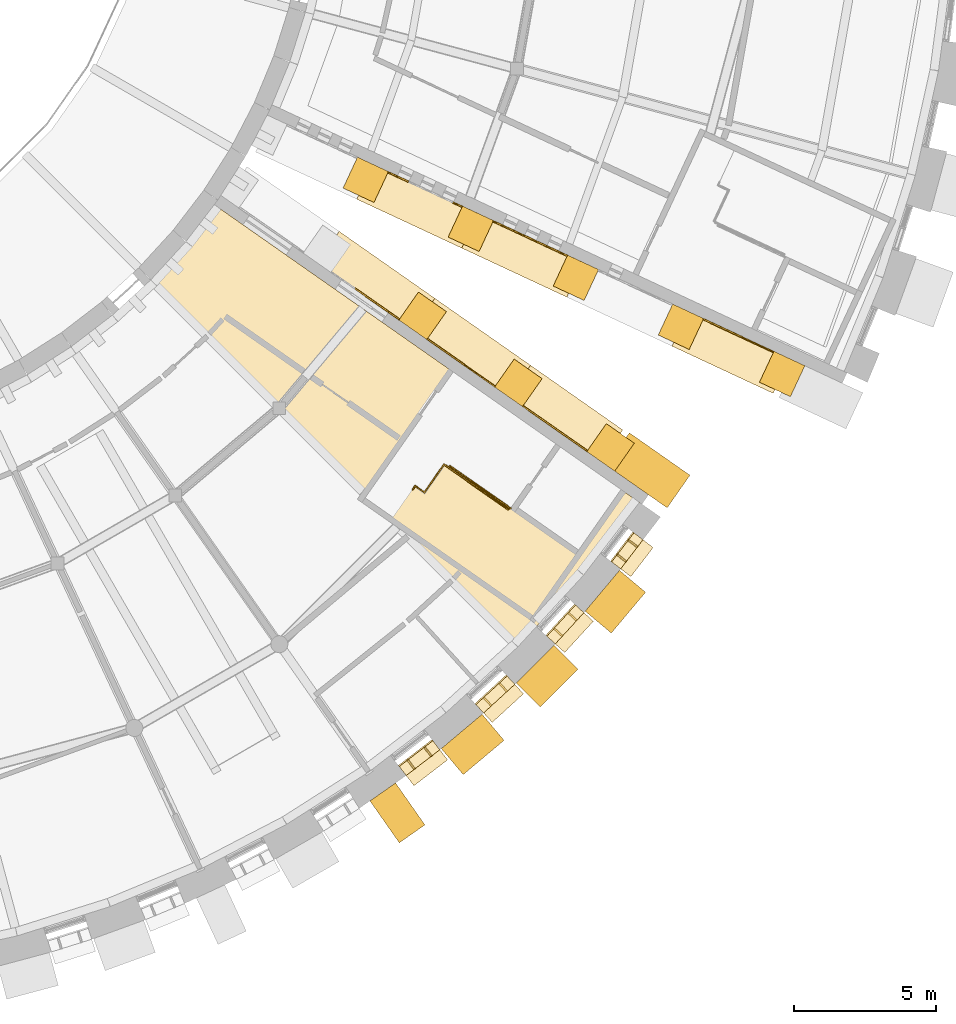
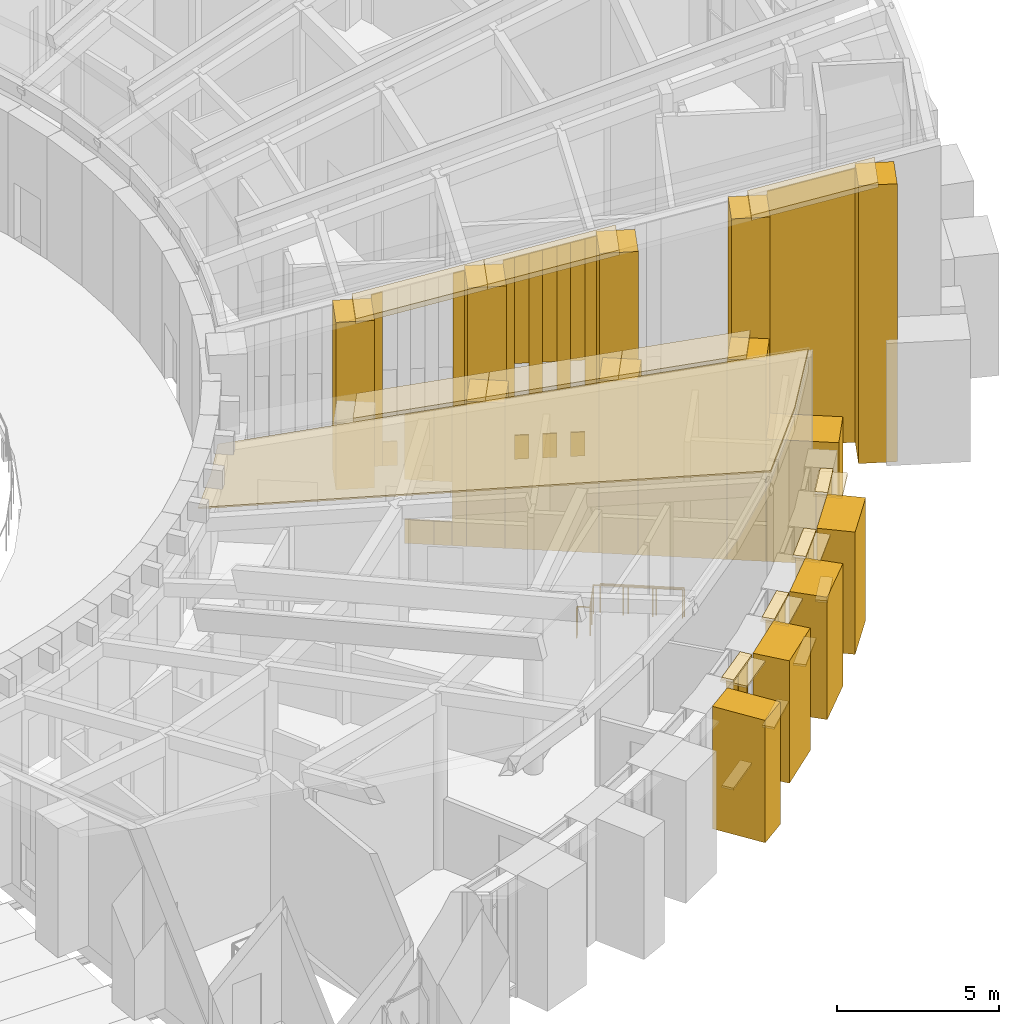
# One storey, part 42 of 50: 61 coverings, 2 railings.
"""IFC4 building model written with IfcOpenShell, lengths in metres."""

from ifc_helpers import new_model, si_unit, direction, frame, origin, origin_2d, place, context, subcontext, project, spatial, polyline, rectangle, circle, outline, extrude, material, layer, layer_set, type_object, element, save


model = new_model("IFC4")

# Units and contexts
model_context = context("Model", 3, precision=1e-05, world=origin(), true_north=direction((0.0, 1.0)))
body_context = subcontext(model_context, "Body", "Model", "MODEL_VIEW")
ifc_project = project(units=[si_unit("LENGTHUNIT", "METRE"), si_unit("AREAUNIT", "SQUARE_METRE"), si_unit("VOLUMEUNIT", "CUBIC_METRE"), si_unit("PLANEANGLEUNIT", "RADIAN"), si_unit("MASSUNIT", "GRAM", prefix="KILO")], contexts=[model_context])

# Site, building, storey
site_placement = place(None, origin())
site = spatial("IfcSite", under=ifc_project, at=site_placement, CompositionType="ELEMENT")
building_placement = place(site_placement, origin())
building = spatial("IfcBuilding", under=site, at=building_placement, Name="Volute Hill Aquarium", CompositionType="ELEMENT")
storey_placement = place(building_placement, frame((0.0, 0.0, 9.199951171875)))
storey = spatial("IfcBuildingStorey", under=building, at=storey_placement, Name="L03", CompositionType="ELEMENT", Elevation=9.199951171875)

# Coverings
ifc_material_1 = material(Name="Precast concrete C40/50", Category="concrete")
covering_type_1 = type_object("IfcCoveringType", Name="End wall precast coping C40/50 1350x200", PredefinedType="CLADDING", material=ifc_material_1)
covering_1_placement = place(storey_placement, frame((20.697998046875, -14.248779296875, 4.403076171875), z_axis=(-0.573593982134, -0.81913975832, 0.0), x_axis=(0.793343648707, -0.555530528265, 0.248981298938)))
element("IfcCovering", 1, at=covering_1_placement, inside=storey, type_object=covering_type_1, Name="End wall coping EWC S3B L03 2", PredefinedType="CLADDING", context=body_context, shape_type="SweptSolid", body=[
    extrude(outline(polyline([(0.0, 0.0), (4.2409137056894854, 0.0), (4.2906978081870255, 0.1936543680702818), (0.04978410249754042, 0.19365436807028183), (0.0, 0.0)])), origin(), (0.0, 0.0, -1.0), 1.35009765625),
])
covering_2_placement = place(storey_placement, frame((24.0625, -16.604736328125, 5.458984375), z_axis=(-0.573566055158, -0.81915931318, 0.0), x_axis=(0.793364982258, -0.555505157364, 0.248969928041)))
element("IfcCovering", 2, at=covering_2_placement, inside=storey, type_object=covering_type_1, Name="End wall coping EWC S3B L03 3", PredefinedType="CLADDING", context=body_context, shape_type="SweptSolid", body=[
    extrude(outline(polyline([(0.0, 0.0), (4.241107395707973, 0.0), (4.290889224581473, 0.1936549525527178), (0.04978182887349994, 0.19365495255271775), (0.0, 0.0)])), origin(), (0.0, 0.0, -1.0), 1.35009765625),
])
covering_3_placement = place(storey_placement, frame((27.42724609375, -18.960693359375, 6.514892578125), z_axis=(-0.573603107353, -0.819133368405, 0.0), x_axis=(0.793339490461, -0.555540787943, 0.248971656631)))
element("IfcCovering", 3, at=covering_3_placement, inside=storey, type_object=covering_type_1, Name="End wall coping EWC S3B L03 4", PredefinedType="CLADDING", context=body_context, shape_type="SweptSolid", body=[
    extrude(outline(polyline([(0.0, 0.0), (4.086143772906816, 2.220446049250313e-16), (4.135986731509798, 0.19389131652726022), (0.04978217450712377, 0.19365486370222693), (0.0, 0.0)])), origin(), (0.0, 0.0, -1.0), 1.35009765625),
])
covering_4_placement = place(storey_placement, frame((22.08984375, -12.010986328125, 6.294921875), z_axis=(-0.42258376343, -0.906323873064, 0.0), x_axis=(0.877780668574, -0.40927517129, 0.24898781505)))
element("IfcCovering", 4, at=covering_4_placement, inside=storey, type_object=covering_type_1, Name="End wall coping EWC S4A L03 2", PredefinedType="CLADDING", context=body_context, shape_type="SweptSolid", body=[
    extrude(outline(polyline([(0.0, 0.0), (4.208445149374588, 0.0), (4.2582305547764046, 0.19365403311876173), (0.049785405401817154, 0.19365403311876184), (0.0, 0.0)])), origin(), (0.0, 0.0, -1.0), 1.35009765625),
])
covering_5_placement = place(storey_placement, frame((25.783935546875, -13.7333984375, 7.3427734375), z_axis=(-0.422632963548, -0.906300931326, 0.0), x_axis=(0.87775982678, -0.409323464263, 0.248981903148)))
element("IfcCovering", 5, at=covering_5_placement, inside=storey, type_object=covering_type_1, Name="End wall coping EWC S4A L03 3", PredefinedType="CLADDING", context=body_context, shape_type="SweptSolid", body=[
    extrude(outline(polyline([(0.0, 0.0), (4.208545075965912, 0.0), (4.25832929927611, 0.19365433701207424), (0.04978422331019887, 0.19365433701207427), (0.0, 0.0)])), origin(), (0.0, 0.0, -1.0), 1.35009765625),
])
covering_6_placement = place(storey_placement, frame((33.172119140625, -17.1787109375, 9.4384765625), z_axis=(-0.422619905997, -0.906307020306, 0.0), x_axis=(0.877765405397, -0.409310669348, 0.248983270613)))
element("IfcCovering", 6, at=covering_6_placement, inside=storey, type_object=covering_type_1, Name="End wall coping EWC S4A L03 5", PredefinedType="CLADDING", context=body_context, shape_type="SweptSolid", body=[
    extrude(outline(polyline([(0.0, 0.0), (4.053595011686332, 0.0), (4.103379508422662, 0.19365426672009112), (0.0497844967363295, 0.19365426672009112), (0.0, 0.0)])), origin(), (0.0, 0.0, -1.0), 1.35009765625),
])
ifc_material_2 = material(Name="Precast concrete C40/50", Category="concrete")
covering_type_2 = type_object("IfcCoveringType", Name="End wall precast fin C40/50 1200x1200", PredefinedType="CLADDING", material=ifc_material_2)
covering_7_placement = place(storey_placement, frame((24.40673828125, -16.11328125, 0.0), z_axis=(0.0, 0.0, 1.0), x_axis=(0.81915068408, -0.573578378926, 0.0)))
element("IfcCovering", 7, at=covering_7_placement, inside=storey, type_object=covering_type_2, Name="End wall fin EWF S3B L03 3", PredefinedType="CLADDING", context=body_context, shape_type="SweptSolid", body=[
    extrude(rectangle(XDim=1.199951171875, YDim=1.199951171875, at=origin_2d()), origin(), (0.0, 0.0, 1.0), 5.458984375),
])
covering_8_placement = place(storey_placement, frame((27.771484375, -18.46923828125, 0.0), z_axis=(0.0, 0.0, 1.0), x_axis=(0.81915068408, -0.573578378926, 0.0)))
element("IfcCovering", 8, at=covering_8_placement, inside=storey, type_object=covering_type_2, Name="End wall fin EWF S3B L03 4", PredefinedType="CLADDING", context=body_context, shape_type="SweptSolid", body=[
    extrude(rectangle(XDim=1.199951171875, YDim=1.199951171875, at=origin_2d()), origin(), (0.0, 0.0, 1.0), 6.514892578125),
])
covering_9_placement = place(storey_placement, frame((31.01318359375, -20.739013671875, 0.0), z_axis=(0.0, 0.0, 1.0), x_axis=(0.81915068408, -0.573578378926, 0.0)))
element("IfcCovering", 9, at=covering_9_placement, inside=storey, type_object=covering_type_2, Name="End wall fin EWF S3B L03 5", PredefinedType="CLADDING", context=body_context, shape_type="SweptSolid", body=[
    extrude(rectangle(XDim=1.199951171875, YDim=1.199951171875, at=origin_2d()), origin(), (0.0, 0.0, 1.0), 7.5322265625),
])
covering_10_placement = place(storey_placement, frame((22.406494140625, -11.3310546875, 0.0), z_axis=(0.0, 0.0, 1.0), x_axis=(0.906306960471, -0.422620034311, 0.0)))
element("IfcCovering", 10, at=covering_10_placement, inside=storey, type_object=covering_type_2, Name="End wall fin EWF S4A L03 2", PredefinedType="CLADDING", context=body_context, shape_type="SweptSolid", body=[
    extrude(rectangle(XDim=1.199951171875, YDim=1.199951171875, at=origin_2d()), origin(), (0.0, 0.0, 1.0), 6.294921875),
])
covering_11_placement = place(storey_placement, frame((26.100830078125, -13.0537109375, 0.0), z_axis=(0.0, 0.0, 1.0), x_axis=(0.906306960471, -0.422620034311, 0.0)))
element("IfcCovering", 11, at=covering_11_placement, inside=storey, type_object=covering_type_2, Name="End wall fin EWF S4A L03 3", PredefinedType="CLADDING", context=body_context, shape_type="SweptSolid", body=[
    extrude(rectangle(XDim=1.199951171875, YDim=1.199951171875, at=origin_2d()), origin(), (0.0, 0.0, 1.0), 7.3427734375),
])
covering_12_placement = place(storey_placement, frame((29.794921875, -14.7763671875, 0.0), z_axis=(0.0, 0.0, 1.0), x_axis=(0.906306960471, -0.422620034311, 0.0)))
element("IfcCovering", 12, at=covering_12_placement, inside=storey, type_object=covering_type_2, Name="End wall fin EWF S4A L03 4", PredefinedType="CLADDING", context=body_context, shape_type="SweptSolid", body=[
    extrude(rectangle(XDim=1.199951171875, YDim=1.199951171875, at=origin_2d()), origin(), (0.0, 0.0, 1.0), 8.390625),
])
covering_13_placement = place(storey_placement, frame((33.489013671875, -16.498779296875, 0.0), z_axis=(0.0, 0.0, 1.0), x_axis=(0.906306960471, -0.422620034311, 0.0)))
element("IfcCovering", 13, at=covering_13_placement, inside=storey, type_object=covering_type_2, Name="End wall fin EWF S4A L03 5", PredefinedType="CLADDING", context=body_context, shape_type="SweptSolid", body=[
    extrude(rectangle(XDim=1.199951171875, YDim=1.199951171875, at=origin_2d()), origin(), (0.0, 0.0, 1.0), 9.4384765625),
])
covering_14_placement = place(storey_placement, frame((37.047119140625, -18.157958984375, 0.0), z_axis=(0.0, 0.0, 1.0), x_axis=(0.906306960471, -0.422620034311, 0.0)))
element("IfcCovering", 14, at=covering_14_placement, inside=storey, type_object=covering_type_2, Name="End wall fin EWF S4A L03 6", PredefinedType="CLADDING", context=body_context, shape_type="SweptSolid", body=[
    extrude(rectangle(XDim=1.199951171875, YDim=1.199951171875, at=origin_2d()), origin(), (0.0, 0.0, 1.0), 10.44775390625),
])
ifc_material_3 = material(Name="Precast concrete C40/50", Category="concrete")
ifc_layer_1 = layer(ifc_material_3, 0.050048828125)
ifc_layer_set_1 = layer_set([ifc_layer_1], Name="End wall precast infill panel C40/50 50")
covering_type_3 = type_object("IfcCoveringType", Name="End wall precast infill panel C40/50 50", PredefinedType="CLADDING", material=ifc_layer_set_1)
covering_15_placement = place(storey_placement, frame((22.01171875, -15.168701171875, 0.0), z_axis=(-0.573589807488, -0.819142681555, 0.0), x_axis=(0.819142681555, -0.573589807488, 0.0)))
element("IfcCovering", 15, at=covering_15_placement, inside=storey, type_object=covering_type_3, Name="End wall panel EWP S3B L03 2", PredefinedType="CLADDING", context=body_context, shape_type="SweptSolid", body=[
    extrude(outline(polyline([(0.0, 0.0), (0.8997950704701132, 0.0), (0.8997950704701132, 0.900146484375), (0.0, 0.900146484375), (0.0, 0.0)])), origin(), (0.0, 0.0, -1.0), 0.050048828125),
])
covering_16_placement = place(storey_placement, frame((22.01171875, -15.168701171875, 2.400146484375), z_axis=(-0.573589807488, -0.819142681555, 0.0), x_axis=(0.819142681555, -0.573589807488, 0.0)))
element("IfcCovering", 16, at=covering_16_placement, inside=storey, type_object=covering_type_3, Name="End wall panel EWP S3B L03 2", PredefinedType="CLADDING", context=body_context, shape_type="SweptSolid", body=[
    extrude(outline(polyline([(0.0, 0.0), (0.8997950704701132, 0.0), (0.8997950704701132, 2.646484375), (0.0, 2.4150390625), (0.0, 0.0)])), origin(), (0.0, 0.0, -1.0), 0.050048828125),
])
covering_17_placement = place(storey_placement, frame((22.748779296875, -15.684814453125, 0.0), z_axis=(-0.573580694562, -0.819149062641, 0.0), x_axis=(0.819149062641, -0.573580694562, 0.0)))
element("IfcCovering", 17, at=covering_17_placement, inside=storey, type_object=covering_type_3, Name="End wall panel EWP S3B L03 2", PredefinedType="CLADDING", context=body_context, shape_type="SweptSolid", body=[
    extrude(outline(polyline([(0.0, 0.0), (0.5537615825225353, 0.0), (0.5537615825225353, 0.900146484375), (0.0, 0.900146484375), (0.0, 0.0)])), origin(), (0.0, 0.0, -1.0), 0.050048828125),
])
covering_18_placement = place(storey_placement, frame((22.748779296875, -15.684814453125, 2.400146484375), z_axis=(-0.573580694562, -0.819149062641, 0.0), x_axis=(0.819149062641, -0.573580694562, 0.0)))
element("IfcCovering", 18, at=covering_18_placement, inside=storey, type_object=covering_type_3, Name="End wall panel EWP S3B L03 2", PredefinedType="CLADDING", context=body_context, shape_type="SweptSolid", body=[
    extrude(outline(polyline([(0.0, 0.0), (0.5537615825225353, 0.0), (0.5537615825225353, 2.788818359375), (0.0, 2.646484375), (0.0, 0.0)])), origin(), (0.0, 0.0, -1.0), 0.050048828125),
])
covering_19_placement = place(storey_placement, frame((23.202392578125, -16.00244140625, 0.0), z_axis=(-0.573462344363, -0.819231920519, 0.0), x_axis=(0.819231920519, -0.573462344363, 0.0)))
element("IfcCovering", 19, at=covering_19_placement, inside=storey, type_object=covering_type_3, Name="End wall panel EWP S3B L03 2", PredefinedType="CLADDING", context=body_context, shape_type="SweptSolid", body=[
    extrude(outline(polyline([(0.0, 0.0), (0.4499975336854954, 0.0), (0.4499975336854954, 5.3046875), (0.0, 5.18896484375), (0.0, 0.0)])), origin(), (0.0, 0.0, -1.0), 0.050048828125),
])
covering_20_placement = place(storey_placement, frame((24.553955078125, -16.94873046875, 0.0), z_axis=(-0.573563773994, -0.819160910421, 0.0), x_axis=(0.819160910421, -0.573563773994, 0.0)))
element("IfcCovering", 20, at=covering_20_placement, inside=storey, type_object=covering_type_3, Name="End wall panel EWP S3B L03 3", PredefinedType="CLADDING", context=body_context, shape_type="SweptSolid", body=[
    extrude(outline(polyline([(0.0, 0.0), (2.9076533159717477, 0.0), (2.9076533159717477, 6.360595703125), (0.0, 5.61328125), (0.0, 0.0)])), origin(), (0.0, 0.0, -1.0), 0.050048828125),
])
covering_21_placement = place(storey_placement, frame((27.918701171875, -19.3046875, 0.0), z_axis=(-0.573616824383, -0.819123762801, 0.0), x_axis=(0.819123762801, -0.573616824383, 0.0)))
element("IfcCovering", 21, at=covering_21_placement, inside=storey, type_object=covering_type_3, Name="End wall panel EWP S3B L03 4", PredefinedType="CLADDING", context=body_context, shape_type="SweptSolid", body=[
    extrude(outline(polyline([(0.0, 0.0), (2.757567494777698, 0.0), (2.757567494777698, 7.378173828125), (0.0, 6.669189453125), (0.0, 0.0)])), origin(), (0.0, 0.0, -1.0), 0.050048828125),
])
covering_22_placement = place(storey_placement, frame((23.182861328125, -11.086181640625, 0.0), z_axis=(-0.422503748493, -0.906361176634, 0.0), x_axis=(0.906361176634, -0.422503748493, 0.0)))
element("IfcCovering", 22, at=covering_22_placement, inside=storey, type_object=covering_type_3, Name="End wall panel EWP S4A L03 2", PredefinedType="CLADDING", context=body_context, shape_type="SweptSolid", body=[
    extrude(outline(polyline([(0.0, 0.0), (0.35017255888939314, 0.0), (0.35017255888939314, 6.539062500000002), (0.0, 6.449218750000002), (0.0, 0.0)])), origin(), (0.0, 0.0, -1.0), 0.050048828125),
])
covering_23_placement = place(storey_placement, frame((23.500244140625, -11.234130859375, 0.0), z_axis=(-0.422529111883, -0.90634935296, 0.0), x_axis=(0.90634935296, -0.422529111883, 0.0)))
element("IfcCovering", 23, at=covering_23_placement, inside=storey, type_object=covering_type_3, Name="End wall panel EWP S4A L03 2", PredefinedType="CLADDING", context=body_context, shape_type="SweptSolid", body=[
    extrude(outline(polyline([(0.0, 0.0), (0.4501122917366558, 0.0), (0.4501122917366558, 0.900146484375), (0.0, 0.900146484375), (0.0, 0.0)])), origin(), (0.0, 0.0, -1.0), 0.050048828125),
])
covering_24_placement = place(storey_placement, frame((25.471923828125, -12.153564453125, 0.0), z_axis=(-0.422809198631, -0.906218727214, 0.0), x_axis=(0.906218727214, -0.422809198631, 0.0)))
element("IfcCovering", 24, at=covering_24_placement, inside=storey, type_object=covering_type_3, Name="End wall panel EWP S4A L03 2", PredefinedType="CLADDING", context=body_context, shape_type="SweptSolid", body=[
    extrude(outline(polyline([(0.0, 0.0), (0.35049700870951644, 0.0), (0.35049700870951644, 7.1884765625), (0.0, 7.098388671875), (0.0, 0.0)])), origin(), (0.0, 0.0, -1.0), 0.050048828125),
])
covering_25_placement = place(storey_placement, frame((26.876953125, -12.808837890625, 0.0), z_axis=(-0.422503748493, -0.906361176634, 0.0), x_axis=(0.906361176634, -0.422503748493, 0.0)))
element("IfcCovering", 25, at=covering_25_placement, inside=storey, type_object=covering_type_3, Name="End wall panel EWP S4A L03 3", PredefinedType="CLADDING", context=body_context, shape_type="SweptSolid", body=[
    extrude(outline(polyline([(0.0, 0.0), (0.35017255888939314, 0.0), (0.35017255888939314, 7.5869140625), (0.0, 7.4970703125), (0.0, 0.0)])), origin(), (0.0, 0.0, -1.0), 0.050048828125),
])
covering_26_placement = place(storey_placement, frame((27.1943359375, -12.956787109375, 0.0), z_axis=(-0.422529111883, -0.90634935296, 0.0), x_axis=(0.90634935296, -0.422529111883, 0.0)))
element("IfcCovering", 26, at=covering_26_placement, inside=storey, type_object=covering_type_3, Name="End wall panel EWP S4A L03 3", PredefinedType="CLADDING", context=body_context, shape_type="SweptSolid", body=[
    extrude(outline(polyline([(0.0, 0.0), (0.4501122917366558, 0.0), (0.4501122917366558, 0.900146484375), (0.0, 0.900146484375), (0.0, 0.0)])), origin(), (0.0, 0.0, -1.0), 0.050048828125),
])
covering_27_placement = place(storey_placement, frame((27.1943359375, -12.956787109375, 3.60009765625), z_axis=(-0.422529111883, -0.90634935296, 0.0), x_axis=(0.90634935296, -0.422529111883, 0.0)))
element("IfcCovering", 27, at=covering_27_placement, inside=storey, type_object=covering_type_3, Name="End wall panel EWP S4A L03 3", PredefinedType="CLADDING", context=body_context, shape_type="SweptSolid", body=[
    extrude(outline(polyline([(0.0, 0.0), (0.4501122917366558, 0.0), (0.4501122917366558, 4.1025390625), (0.0, 3.98681640625), (0.0, 0.0)])), origin(), (0.0, 0.0, -1.0), 0.050048828125),
])
covering_28_placement = place(storey_placement, frame((27.602294921875, -13.14697265625, 0.0), z_axis=(-0.422917846092, -0.906168028269, 0.0), x_axis=(0.906168028269, -0.422917846092, 0.0)))
element("IfcCovering", 28, at=covering_28_placement, inside=storey, type_object=covering_type_3, Name="End wall panel EWP S4A L03 3", PredefinedType="CLADDING", context=body_context, shape_type="SweptSolid", body=[
    extrude(outline(polyline([(0.0, 0.0), (0.41275285138278023, 0.0), (0.41275285138278023, 7.808837890625), (0.0, 7.70263671875), (0.0, 0.0)])), origin(), (0.0, 0.0, -1.0), 0.050048828125),
])
covering_29_placement = place(storey_placement, frame((27.976318359375, -13.321533203125, 0.0), z_axis=(-0.422529111883, -0.90634935296, 0.0), x_axis=(0.90634935296, -0.422529111883, 0.0)))
element("IfcCovering", 29, at=covering_29_placement, inside=storey, type_object=covering_type_3, Name="End wall panel EWP S4A L03 3", PredefinedType="CLADDING", context=body_context, shape_type="SweptSolid", body=[
    extrude(outline(polyline([(0.0, 0.0), (0.4501122917366558, 0.0), (0.4501122917366558, 0.900146484375), (0.0, 0.900146484375), (0.0, 0.0)])), origin(), (0.0, 0.0, -1.0), 0.050048828125),
])
covering_30_placement = place(storey_placement, frame((27.976318359375, -13.321533203125, 3.60009765625), z_axis=(-0.422529111883, -0.90634935296, 0.0), x_axis=(0.90634935296, -0.422529111883, 0.0)))
element("IfcCovering", 30, at=covering_30_placement, inside=storey, type_object=covering_type_3, Name="End wall panel EWP S4A L03 3", PredefinedType="CLADDING", context=body_context, shape_type="SweptSolid", body=[
    extrude(outline(polyline([(0.0, 0.0), (0.4501122917366558, 0.0), (0.4501122917366558, 4.324462890625), (0.0, 4.208740234375), (0.0, 0.0)])), origin(), (0.0, 0.0, -1.0), 0.050048828125),
])
covering_31_placement = place(storey_placement, frame((28.38427734375, -13.51171875, 0.0), z_axis=(-0.422431964594, -0.906394635515, 0.0), x_axis=(0.906394635515, -0.422431964594, 0.0)))
element("IfcCovering", 31, at=covering_31_placement, inside=storey, type_object=covering_type_3, Name="End wall panel EWP S4A L03 3", PredefinedType="CLADDING", context=body_context, shape_type="SweptSolid", body=[
    extrude(outline(polyline([(0.0, 0.0), (0.4126496592598029, 0.0), (0.4126496592598029, 8.030517578125), (0.0, 7.924560546875), (0.0, 0.0)])), origin(), (0.0, 0.0, -1.0), 0.050048828125),
])
covering_32_placement = place(storey_placement, frame((28.75830078125, -13.68603515625, 0.0), z_axis=(-0.422529111883, -0.90634935296, 0.0), x_axis=(0.90634935296, -0.422529111883, 0.0)))
element("IfcCovering", 32, at=covering_32_placement, inside=storey, type_object=covering_type_3, Name="End wall panel EWP S4A L03 3", PredefinedType="CLADDING", context=body_context, shape_type="SweptSolid", body=[
    extrude(outline(polyline([(0.0, 0.0), (0.4501122917366558, 0.0), (0.4501122917366558, 0.900146484375), (0.0, 0.900146484375), (0.0, 0.0)])), origin(), (0.0, 0.0, -1.0), 0.050048828125),
])
covering_33_placement = place(storey_placement, frame((28.75830078125, -13.68603515625, 3.60009765625), z_axis=(-0.422529111883, -0.90634935296, 0.0), x_axis=(0.90634935296, -0.422529111883, 0.0)))
element("IfcCovering", 33, at=covering_33_placement, inside=storey, type_object=covering_type_3, Name="End wall panel EWP S4A L03 3", PredefinedType="CLADDING", context=body_context, shape_type="SweptSolid", body=[
    extrude(outline(polyline([(0.0, 0.0), (0.4501122917366558, 0.0), (0.4501122917366558, 4.546142578125), (0.0, 4.430419921875), (0.0, 0.0)])), origin(), (0.0, 0.0, -1.0), 0.050048828125),
])
covering_34_placement = place(storey_placement, frame((29.166259765625, -13.876220703125, 0.0), z_axis=(-0.422503748493, -0.906361176634, 0.0), x_axis=(0.906361176634, -0.422503748493, 0.0)))
element("IfcCovering", 34, at=covering_34_placement, inside=storey, type_object=covering_type_3, Name="End wall panel EWP S4A L03 3", PredefinedType="CLADDING", context=body_context, shape_type="SweptSolid", body=[
    extrude(outline(polyline([(0.0, 0.0), (0.35017255888939314, 0.0), (0.35017255888939314, 8.236328125), (0.0, 8.146240234375), (0.0, 0.0)])), origin(), (0.0, 0.0, -1.0), 0.050048828125),
])
covering_35_placement = place(storey_placement, frame((34.26513671875, -16.25390625, 0.0), z_axis=(-0.422615797409, -0.906308936169, 0.0), x_axis=(0.906308936169, -0.422615797409, 0.0)))
element("IfcCovering", 35, at=covering_35_placement, inside=storey, type_object=covering_type_3, Name="End wall panel EWP S4A L03 5", PredefinedType="CLADDING", context=body_context, shape_type="SweptSolid", body=[
    extrude(outline(polyline([(0.0, 0.0), (2.726115815919565, 0.0), (2.726115815919565, 10.29345703125), (0.0, 9.5927734375), (0.0, 0.0)])), origin(), (0.0, 0.0, -1.0), 0.050048828125),
])

# Railings
ifc_material_4 = material(Name="Stainless steel 1.4301", Category="steel")
railing_type = type_object("IfcRailingType", Name="Guard 1100 stainless", PredefinedType="GUARDRAIL", material=ifc_material_4)
railing_1_placement = place(storey_placement, frame((27.499267578125, -22.880859375, 0.0)))
element("IfcRailing", 36, at=railing_1_placement, inside=storey, type_object=railing_type, Name="gd/S3-B/L03/edge", PredefinedType="GUARDRAIL", context=body_context, shape_type="SweptSolid", body=[
    extrude(circle(Radius=0.02392578125, at=origin_2d()), frame((0.0, 0.0, 1.076171875), z_axis=(-0.819178980414, 0.573537965655, 0.0), x_axis=(-0.573537965655, -0.819178980414, 0.0)), (0.0, 0.0, 1.0), 2.60009765625),
    extrude(circle(Radius=0.02099609375, at=origin_2d()), origin(), (0.0, 0.0, 1.0), 1.052001953125),
    extrude(circle(Radius=0.02099609375, at=origin_2d()), frame((-0.7099609375, 0.4970703125, 0.0)), (0.0, 0.0, 1.0), 1.052001953125),
    extrude(circle(Radius=0.02099609375, at=origin_2d()), frame((-1.419921875, 0.994140625, 0.0)), (0.0, 0.0, 1.0), 1.052001953125),
    extrude(circle(Radius=0.02099609375, at=origin_2d()), frame((-2.1298828125, 1.4912109375, 0.0)), (0.0, 0.0, 1.0), 1.052001953125),
])
railing_2_placement = place(storey_placement, frame((24.0576171875, -22.216796875, 0.0)))
element("IfcRailing", 37, at=railing_2_placement, inside=storey, type_object=railing_type, Name="gd/S3-B/L03/well", PredefinedType="GUARDRAIL", context=body_context, shape_type="SweptSolid", body=[
    extrude(circle(Radius=0.02392578125, at=origin_2d()), frame((0.0, 0.0, 1.076171875), z_axis=(0.574444878118, 0.818543268254, 0.0), x_axis=(-0.818543268254, 0.574444878118, 0.0)), (0.0, 0.0, 1.0), 0.150146484375),
    extrude(circle(Radius=0.02392578125, at=origin_2d()), frame((0.086181640625, 0.122802734375, 1.076171875), z_axis=(0.819059844958, -0.573708088123, 0.0), x_axis=(0.573708088123, 0.819059844958, 0.0)), (0.0, 0.0, 1.0), 0.39990234375),
    extrude(circle(Radius=0.02392578125, at=origin_2d()), frame((0.413818359375, -0.106689453125, 1.076171875), z_axis=(0.573475997466, 0.819222363177, 0.0), x_axis=(-0.819222363177, 0.573475997466, 0.0)), (0.0, 0.0, 1.0), 1.2001953125),
    extrude(circle(Radius=0.02392578125, at=origin_2d()), frame((1.10205078125, 0.87646484375, 1.076171875), z_axis=(0.819144325714, -0.57358745946, 0.0), x_axis=(0.57358745946, 0.819144325714, 0.0)), (0.0, 0.0, 1.0), 2.75),
    extrude(circle(Radius=0.02099609375, at=origin_2d()), origin(), (0.0, 0.0, 1.0), 1.052001953125),
    extrude(circle(Radius=0.02099609375, at=origin_2d()), frame((0.086181640625, 0.122802734375, 0.0)), (0.0, 0.0, 1.0), 1.052001953125),
    extrude(circle(Radius=0.02099609375, at=origin_2d()), frame((0.413818359375, -0.106689453125, 0.0)), (0.0, 0.0, 1.0), 1.052001953125),
    extrude(circle(Radius=0.02099609375, at=origin_2d()), frame((0.7578125, 0.384765625, 0.0)), (0.0, 0.0, 1.0), 1.052001953125),
    extrude(circle(Radius=0.02099609375, at=origin_2d()), frame((1.10205078125, 0.87646484375, 0.0)), (0.0, 0.0, 1.0), 1.052001953125),
    extrude(circle(Radius=0.02099609375, at=origin_2d()), frame((1.85302734375, 0.3505859375, 0.0)), (0.0, 0.0, 1.0), 1.052001953125),
    extrude(circle(Radius=0.02099609375, at=origin_2d()), frame((2.603759765625, -0.175048828125, 0.0)), (0.0, 0.0, 1.0), 1.052001953125),
    extrude(circle(Radius=0.02099609375, at=origin_2d()), frame((3.354736328125, -0.700927734375, 0.0)), (0.0, 0.0, 1.0), 1.052001953125),
])

# Coverings
ifc_material_5 = material(Name="Aluminium, anodised", Category="aluminium")
ifc_layer_2 = layer(ifc_material_5, 0.080078125)
ifc_layer_set_2 = layer_set([ifc_layer_2], Name="Horizontal brise-soleil eyebrow 900x80")
covering_type_4 = type_object("IfcCoveringType", Name="Horizontal brise-soleil eyebrow 900x80", PredefinedType="CLADDING", material=ifc_layer_set_2)
for number, where, z_axis, x_axis, name in (
    (38, (24.418701171875, -31.8232421875, 4.409912109375), (0.0, 0.0, 1.0), (0.793365104798, 0.608746096898, 0.0), "Brise-soleil eyebrow BS S3 L03 7.1"),
    (39, (27.099365234375, -29.57373046875, 4.409912109375), (0.0, 0.0, 1.0), (0.737257204746, 0.675612177251, 0.0), "Brise-soleil eyebrow BS S3 L03 8.1"),
    (40, (29.57373046875, -27.099365234375, 4.409912109375), (0.0, 0.0, 1.0), (0.675612177251, 0.737257204746, 0.0), "Brise-soleil eyebrow BS S3 L03 9.1"),
):
    element("IfcCovering", number, at=place(storey_placement, frame(where, z_axis=z_axis, x_axis=x_axis)), inside=storey, type_object=covering_type_4, Name=name, PredefinedType="CLADDING", context=body_context, shape_type="SweptSolid", body=[
        extrude(rectangle(XDim=1.4892578125, YDim=0.89990234375, at=origin_2d()), origin(), (0.0, 0.0, 1.0), 0.080078125),
    ])
covering_36_placement = place(storey_placement, frame((31.76220703125, -24.498291015625, 4.409912109375), z_axis=(0.0, 0.0, 1.0), x_axis=(0.608746096898, 0.793365104798, 0.0)))
element("IfcCovering", 41, at=covering_36_placement, inside=storey, type_object=covering_type_4, Name="Brise-soleil eyebrow BS S3 L03 10.1", PredefinedType="CLADDING", context=body_context, shape_type="SweptSolid", body=[
    extrude(rectangle(XDim=1.2890625, YDim=0.89990234375, at=origin_2d()), origin(), (0.0, 0.0, 1.0), 0.080078125),
])
ifc_material_6 = material(Name="Precast concrete C40/50", Category="concrete")
covering_type_5 = type_object("IfcCoveringType", Name="Projecting pier precast concrete C40/50 1100x1800", PredefinedType="CLADDING", material=ifc_material_6)
covering_37_placement = place(storey_placement, frame((23.5205078125, -33.590576171875, 0.0), z_axis=(0.0, 0.0, 1.0), x_axis=(0.819152044289, 0.573576436351, 0.0)))
element("IfcCovering", 42, at=covering_37_placement, inside=storey, type_object=covering_type_5, Name="Projecting pier PP S3 L03 6", PredefinedType="CLADDING", context=body_context, shape_type="SweptSolid", body=[
    extrude(rectangle(XDim=1.10009765625, YDim=1.800048828125, at=origin_2d()), origin(), (0.0, 0.0, 1.0), 4.60009765625),
])
ifc_material_7 = material(Name="Precast concrete C40/50", Category="concrete")
covering_type_6 = type_object("IfcCoveringType", Name="Projecting pier precast concrete C40/50 1875x1200", PredefinedType="CLADDING", material=ifc_material_7)
for number, where, z_axis, x_axis, name in (
    (43, (26.165771484375, -31.18310546875, 0.0), (0.0, 0.0, 1.0), (0.766044443119, 0.642787609687, 0.0), "Projecting pier PP S3 L03 7"),
    (44, (28.78369140625, -28.78369140625, 0.0), (0.0, 0.0, 1.0), (0.707106781187, 0.707106781187, 0.0), "Projecting pier PP S3 L03 8"),
    (45, (31.18310546875, -26.165771484375, 0.0), (0.0, 0.0, 1.0), (0.642787609687, 0.766044443119, 0.0), "Projecting pier PP S3 L03 9"),
):
    element("IfcCovering", number, at=place(storey_placement, frame(where, z_axis=z_axis, x_axis=x_axis)), inside=storey, type_object=covering_type_6, Name=name, PredefinedType="CLADDING", context=body_context, shape_type="SweptSolid", body=[
        extrude(rectangle(XDim=1.87548828125, YDim=1.199951171875, at=origin_2d()), origin(), (0.0, 0.0, 1.0), 4.60009765625),
    ])
ifc_material_8 = material(Name="Precast concrete C40/50", Category="concrete")
covering_type_7 = type_object("IfcCoveringType", Name="Step pylon precast concrete C40/50 1400x2600", PredefinedType="CLADDING", material=ifc_material_8)
covering_38_placement = place(storey_placement, frame((32.34033203125, -21.546142578125, 0.0), z_axis=(0.0, 0.0, 1.0), x_axis=(0.819152044289, -0.573576436351, 0.0)))
element("IfcCovering", 46, at=covering_38_placement, inside=storey, type_object=covering_type_7, Name="Step pylon SPY S3B L03", PredefinedType="CLADDING", context=body_context, shape_type="SweptSolid", body=[
    extrude(rectangle(XDim=2.60009765625, YDim=1.39990234375, at=origin_2d()), origin(), (0.0, 0.0, 1.0), 4.60009765625),
])
ifc_material_9 = material(Name="Timber, thermally modified ash", Category="wood")
covering_type_8 = type_object("IfcCoveringType", Name="Timber louvre fin 60x400", PredefinedType="CLADDING", material=ifc_material_9)
for number, where, z_axis, x_axis, name in (
    (47, (24.001708984375, -31.89111328125, 0.5302734375), (0.0, 0.0, 1.0), (0.793365104798, 0.608746096898, 0.0), "Timber louvre fin S3 L03 7.1.1"),
    (48, (24.592529296875, -31.437744140625, 0.5302734375), (0.0, 0.0, 1.0), (0.793365104798, 0.608746096898, 0.0), "Timber louvre fin S3 L03 7.1.2"),
    (49, (26.689697265625, -29.677978515625, 0.5302734375), (0.0, 0.0, 1.0), (0.737257204746, 0.675612177251, 0.0), "Timber louvre fin S3 L03 8.1.1"),
    (50, (27.23876953125, -29.1748046875, 0.5302734375), (0.0, 0.0, 1.0), (0.737257204746, 0.675612177251, 0.0), "Timber louvre fin S3 L03 8.1.2"),
    (51, (29.1748046875, -27.23876953125, 0.5302734375), (0.0, 0.0, 1.0), (0.675612177251, 0.737257204746, 0.0), "Timber louvre fin S3 L03 9.1.1"),
    (52, (29.677978515625, -26.68994140625, 0.5302734375), (0.0, 0.0, 1.0), (0.675612177251, 0.737257204746, 0.0), "Timber louvre fin S3 L03 9.1.2"),
    (53, (31.407470703125, -24.632080078125, 0.5302734375), (0.0, 0.0, 1.0), (0.608746096898, 0.793365104798, 0.0), "Timber louvre fin S3 L03 10.1.1"),
    (54, (31.7998046875, -24.120849609375, 0.5302734375), (0.0, 0.0, 1.0), (0.608746096898, 0.793365104798, 0.0), "Timber louvre fin S3 L03 10.1.2"),
):
    element("IfcCovering", number, at=place(storey_placement, frame(where, z_axis=z_axis, x_axis=x_axis)), inside=storey, type_object=covering_type_8, Name=name, PredefinedType="CLADDING", context=body_context, shape_type="SweptSolid", body=[
        extrude(rectangle(XDim=0.06005859375, YDim=0.39990234375, at=origin_2d()), origin(), (0.0, 0.0, 1.0), 3.989990234375),
    ])
ifc_material_10 = material(Name="Timber, thermally modified ash", Category="wood")
covering_type_9 = type_object("IfcCoveringType", Name="Timber louvre fin rail 400x80", PredefinedType="CLADDING", material=ifc_material_10)
for number, where, z_axis, x_axis, name in (
    (55, (24.297119140625, -31.66455078125, 0.449951171875), (0.0, 0.0, 1.0), (0.793365104798, 0.608746096898, 0.0), "Timber louvre fin rail S3 L03 7.1"),
    (56, (24.297119140625, -31.66455078125, 4.52001953125), (0.0, 0.0, 1.0), (0.793365104798, 0.608746096898, 0.0), "Timber louvre fin rail S3 L03 7.2"),
    (57, (26.96435546875, -29.426513671875, 0.449951171875), (0.0, 0.0, 1.0), (0.737257204746, 0.675612177251, 0.0), "Timber louvre fin rail S3 L03 8.1"),
    (58, (26.96435546875, -29.426513671875, 4.52001953125), (0.0, 0.0, 1.0), (0.737257204746, 0.675612177251, 0.0), "Timber louvre fin rail S3 L03 8.2"),
    (59, (29.42626953125, -26.96435546875, 0.449951171875), (0.0, 0.0, 1.0), (0.675612177251, 0.737257204746, 0.0), "Timber louvre fin rail S3 L03 9.1"),
    (60, (29.42626953125, -26.96435546875, 4.52001953125), (0.0, 0.0, 1.0), (0.675612177251, 0.737257204746, 0.0), "Timber louvre fin rail S3 L03 9.2"),
):
    element("IfcCovering", number, at=place(storey_placement, frame(where, z_axis=z_axis, x_axis=x_axis)), inside=storey, type_object=covering_type_9, Name=name, PredefinedType="CLADDING", context=body_context, shape_type="SweptSolid", body=[
        extrude(rectangle(XDim=1.4892578125, YDim=0.39990234375, at=origin_2d()), origin(), (0.0, 0.0, 1.0), 0.080078125),
    ])
for number, where, z_axis, x_axis, name in (
    (61, (31.603515625, -24.37646484375, 0.449951171875), (0.0, 0.0, 1.0), (0.608746096898, 0.793365104798, 0.0), "Timber louvre fin rail S3 L03 10.1"),
    (62, (31.603515625, -24.37646484375, 4.52001953125), (0.0, 0.0, 1.0), (0.608746096898, 0.793365104798, 0.0), "Timber louvre fin rail S3 L03 10.2"),
):
    element("IfcCovering", number, at=place(storey_placement, frame(where, z_axis=z_axis, x_axis=x_axis)), inside=storey, type_object=covering_type_9, Name=name, PredefinedType="CLADDING", context=body_context, shape_type="SweptSolid", body=[
        extrude(rectangle(XDim=1.2890625, YDim=0.39990234375, at=origin_2d()), origin(), (0.0, 0.0, 1.0), 0.080078125),
    ])
ifc_material_11 = material(Name="Zinc")
ifc_layer_3 = layer(ifc_material_11, 0.06005859375)
ifc_layer_set_3 = layer_set([ifc_layer_3], Name="Zinc standing seam roofing 60")
covering_type_10 = type_object("IfcCoveringType", Name="Zinc standing seam roofing 60", PredefinedType="ROOFING", material=ifc_layer_set_3)
covering_39_placement = place(storey_placement, frame((16.0869140625, -13.49853515625, 3.6826171875), z_axis=(-0.191405988962, 0.160625329745, 0.968278498591), x_axis=(-0.675596780858, -0.73718532699, -0.011259811888)))
element("IfcCovering", 63, at=covering_39_placement, inside=storey, type_object=covering_type_10, Name="Zinc roof RF S3 5", PredefinedType="ROOFING", context=body_context, shape_type="SweptSolid", body=[
    extrude(outline(polyline([(0.0, 0.0), (1.8321119951322846, -1.7867651802561113e-16), (2.574056813944807, 18.82858090566355), (-0.8503281361303832, 18.828165756702887), (-4.061316796949056, 18.537917118405186), (-1.625354639758697, -0.14699611559434697), (0.0, 0.0)])), origin(), (0.0, 0.0, -1.0), 0.06005859375),
])

save(model, "model.ifc")
